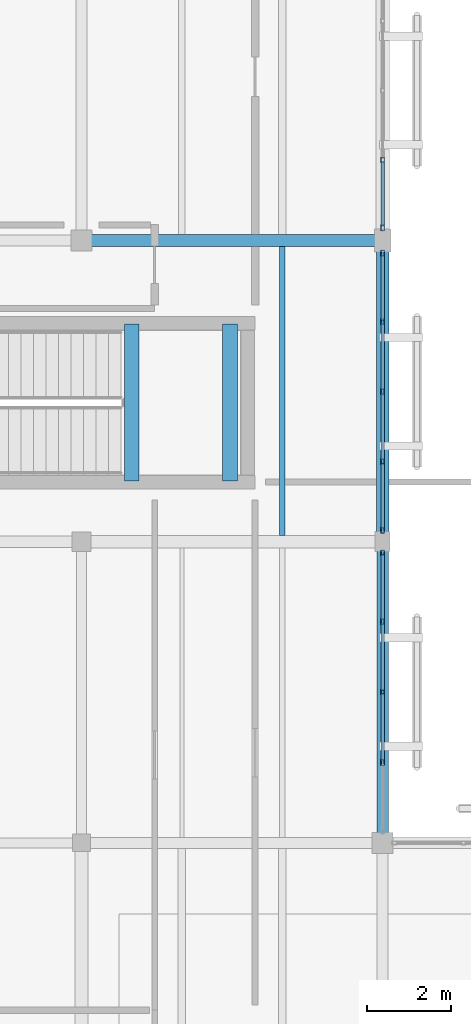
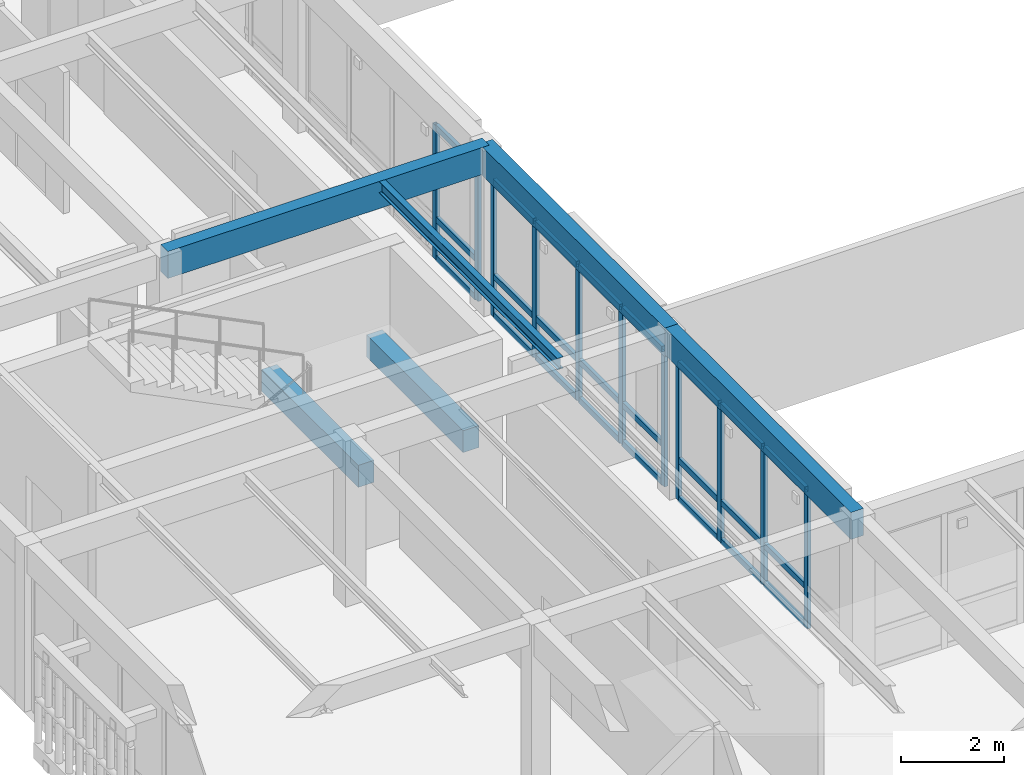
# One storey, part 147 of 217: 35 members, 6 beams, 3 elements without a shape of their own.
"""IFC4 building model written with IfcOpenShell, lengths in metres."""

from ifc_helpers import new_model, si_unit, direction, frame, origin, origin_2d, place, context, subcontext, project, spatial, rectangle, hollow_rectangle, i_section, extrude, material, layer, layer_set, material_profile, profile_set, type_object, element, aggregate, save


model = new_model("IFC4")

# Units and contexts
model_context = context("Model", 3, precision=1e-05, world=origin(), true_north=direction((0.0, 1.0)))
body_context = subcontext(model_context, "Body", "Model", "MODEL_VIEW")
ifc_project = project(units=[si_unit("LENGTHUNIT", "METRE"), si_unit("AREAUNIT", "SQUARE_METRE"), si_unit("VOLUMEUNIT", "CUBIC_METRE"), si_unit("PLANEANGLEUNIT", "RADIAN"), si_unit("MASSUNIT", "GRAM", prefix="KILO")], contexts=[model_context])

# Site, building, storey
site_placement = place(None, origin())
site = spatial("IfcSite", under=ifc_project, at=site_placement, CompositionType="ELEMENT")
building_placement = place(site_placement, origin())
building = spatial("IfcBuilding", under=site, at=building_placement, Name="Mazaris Harbour Polytechnic", CompositionType="ELEMENT")
storey_placement = place(building_placement, frame((0.0, 0.0, 9.60009765625)))
storey = spatial("IfcBuildingStorey", under=building, at=storey_placement, Name="L02", CompositionType="ELEMENT", Elevation=9.60009765625)

# Curtain wall, members
ifc_material_1 = material(Name="Anodised Bronze Aluminium and Low-E Glass", Category="aluminium")
ifc_layer = layer(ifc_material_1, 0.169921875, Name="Anodised Bronze Aluminium and Low-E Glass")
ifc_layer_set = layer_set([ifc_layer], Name="Anodised Bronze Aluminium and Low-E Glass")
curtain_wall_type = type_object("IfcCurtainWallType", Name="Studio North-Light Curtain Wall", PredefinedType="NOTDEFINED", material=ifc_layer_set)
curtain_wall_1_placement = place(storey_placement, origin())
curtain_wall_1 = element("IfcCurtainWall", 1, at=curtain_wall_1_placement, inside=storey, type_object=curtain_wall_type, Name="V5 L02 Curtain Wall 241", PredefinedType="NOTDEFINED")
ifc_material_2 = material(Name="Anodised Bronze Steel S355", Category="steel")
ifc_material_profile_1 = material_profile(ifc_material_2, hollow_rectangle(XDim=0.080078125, YDim=0.139892578125, WallThickness=0.00634765625, at=origin_2d()), Name="RHS 80x140x6.3")
ifc_profile_set_1 = profile_set([ifc_material_profile_1], Name="Anodised Bronze Steel S355")
member_type_1 = type_object("IfcMemberType", Name="Curtain Mullion RHS80x140", PredefinedType="MULLION", material=ifc_profile_set_1)
member_1_placement = place(storey_placement, frame((136.800048828125, 63.12353515625, 0.0), z_axis=(0.0, 0.0, 1.0), x_axis=(-1.0, 0.0, 0.0)))
member_1 = element("IfcMember", 2, at=member_1_placement, type_object=member_type_1, Name="CW-03 mullion 2", PredefinedType="MULLION", context=body_context, shape_type="SweptSolid", body=[
    extrude(hollow_rectangle(XDim=0.080078125, YDim=0.139892578125, WallThickness=0.00634765625, at=origin_2d()), origin(), (0.0, 0.0, 1.0), 3.27001953125),
])
member_2_placement = place(storey_placement, frame((136.800048828125, 64.804931640625, 0.0), z_axis=(0.0, 0.0, 1.0), x_axis=(-1.0, 0.0, 0.0)))
member_2 = element("IfcMember", 3, at=member_2_placement, type_object=member_type_1, Name="CW-03 mullion 3", PredefinedType="MULLION", context=body_context, shape_type="SweptSolid", body=[
    extrude(hollow_rectangle(XDim=0.080078125, YDim=0.139892578125, WallThickness=0.00634765625, at=origin_2d()), origin(), (0.0, 0.0, 1.0), 3.27001953125),
])
member_3_placement = place(storey_placement, frame((136.800048828125, 66.486572265625, 0.0), z_axis=(0.0, 0.0, 1.0), x_axis=(-1.0, 0.0, 0.0)))
member_3 = element("IfcMember", 4, at=member_3_placement, type_object=member_type_1, Name="CW-03 mullion 4", PredefinedType="MULLION", context=body_context, shape_type="SweptSolid", body=[
    extrude(hollow_rectangle(XDim=0.080078125, YDim=0.139892578125, WallThickness=0.00634765625, at=origin_2d()), origin(), (0.0, 0.0, 1.0), 3.27001953125),
])
member_4_placement = place(storey_placement, frame((136.800048828125, 68.1279296875, 0.0), z_axis=(0.0, 0.0, 1.0), x_axis=(-1.0, 0.0, 0.0)))
member_4 = element("IfcMember", 5, at=member_4_placement, type_object=member_type_1, Name="CW-03 mullion 5", PredefinedType="MULLION", context=body_context, shape_type="SweptSolid", body=[
    extrude(hollow_rectangle(XDim=0.080078125, YDim=0.139892578125, WallThickness=0.00634765625, at=origin_2d()), origin(), (0.0, 0.0, 1.0), 3.27001953125),
])

curtain_wall_2_placement = place(storey_placement, origin())
curtain_wall_2 = element("IfcCurtainWall", 6, at=curtain_wall_2_placement, inside=storey, type_object=curtain_wall_type, Name="V5 L02 Curtain Wall 242", PredefinedType="NOTDEFINED")
member_5_placement = place(storey_placement, frame((136.800048828125, 68.672119140625, 0.0), z_axis=(0.0, 0.0, 1.0), x_axis=(-1.0, 0.0, 0.0)))
member_5 = element("IfcMember", 7, at=member_5_placement, type_object=member_type_1, Name="CW-03 mullion 1", PredefinedType="MULLION", context=body_context, shape_type="SweptSolid", body=[
    extrude(hollow_rectangle(XDim=0.080078125, YDim=0.139892578125, WallThickness=0.00634765625, at=origin_2d()), origin(), (0.0, 0.0, 1.0), 3.22998046875),
])
member_6_placement = place(storey_placement, frame((136.800048828125, 70.30859375, 0.0), z_axis=(0.0, 0.0, 1.0), x_axis=(-1.0, 0.0, 0.0)))
member_6 = element("IfcMember", 8, at=member_6_placement, type_object=member_type_1, Name="CW-03 mullion 2", PredefinedType="MULLION", context=body_context, shape_type="SweptSolid", body=[
    extrude(hollow_rectangle(XDim=0.080078125, YDim=0.139892578125, WallThickness=0.00634765625, at=origin_2d()), origin(), (0.0, 0.0, 1.0), 3.22998046875),
])
member_7_placement = place(storey_placement, frame((136.800048828125, 71.985107421875, 0.0), z_axis=(0.0, 0.0, 1.0), x_axis=(-1.0, 0.0, 0.0)))
member_7 = element("IfcMember", 9, at=member_7_placement, type_object=member_type_1, Name="CW-03 mullion 3", PredefinedType="MULLION", context=body_context, shape_type="SweptSolid", body=[
    extrude(hollow_rectangle(XDim=0.080078125, YDim=0.139892578125, WallThickness=0.00634765625, at=origin_2d()), origin(), (0.0, 0.0, 1.0), 3.22998046875),
])
member_8_placement = place(storey_placement, frame((136.800048828125, 73.66162109375, 0.0), z_axis=(0.0, 0.0, 1.0), x_axis=(-1.0, 0.0, 0.0)))
member_8 = element("IfcMember", 10, at=member_8_placement, type_object=member_type_1, Name="CW-03 mullion 4", PredefinedType="MULLION", context=body_context, shape_type="SweptSolid", body=[
    extrude(hollow_rectangle(XDim=0.080078125, YDim=0.139892578125, WallThickness=0.00634765625, at=origin_2d()), origin(), (0.0, 0.0, 1.0), 3.22998046875),
])
member_9_placement = place(storey_placement, frame((136.800048828125, 75.298095703125, 0.0), z_axis=(0.0, 0.0, 1.0), x_axis=(-1.0, 0.0, 0.0)))
member_9 = element("IfcMember", 11, at=member_9_placement, type_object=member_type_1, Name="CW-03 mullion 5", PredefinedType="MULLION", context=body_context, shape_type="SweptSolid", body=[
    extrude(hollow_rectangle(XDim=0.080078125, YDim=0.139892578125, WallThickness=0.00634765625, at=origin_2d()), origin(), (0.0, 0.0, 1.0), 3.22998046875),
])

curtain_wall_3_placement = place(storey_placement, origin())
curtain_wall_3 = element("IfcCurtainWall", 12, at=curtain_wall_3_placement, inside=storey, type_object=curtain_wall_type, Name="V5 L02 Curtain Wall 243", PredefinedType="NOTDEFINED")
member_10_placement = place(storey_placement, frame((136.800048828125, 75.902099609375, 0.0), z_axis=(0.0, 0.0, 1.0), x_axis=(-1.0, 0.0, 0.0)))
member_10 = element("IfcMember", 13, at=member_10_placement, type_object=member_type_1, Name="CW-03 mullion 1", PredefinedType="MULLION", context=body_context, shape_type="SweptSolid", body=[
    extrude(hollow_rectangle(XDim=0.080078125, YDim=0.139892578125, WallThickness=0.00634765625, at=origin_2d()), origin(), (0.0, 0.0, 1.0), 3.169921875),
])
member_11_placement = place(storey_placement, frame((136.800048828125, 77.5234375, 0.0), z_axis=(0.0, 0.0, 1.0), x_axis=(-1.0, 0.0, 0.0)))
member_11 = element("IfcMember", 14, at=member_11_placement, type_object=member_type_1, Name="CW-03 mullion 2", PredefinedType="MULLION", context=body_context, shape_type="SweptSolid", body=[
    extrude(hollow_rectangle(XDim=0.080078125, YDim=0.139892578125, WallThickness=0.00634765625, at=origin_2d()), origin(), (0.0, 0.0, 1.0), 3.169921875),
])

# Member
ifc_material_3 = material(Name="Anodised Bronze Steel S355", Category="steel")
ifc_material_profile_2 = material_profile(ifc_material_3, hollow_rectangle(XDim=0.080078125, YDim=0.139892578125, WallThickness=0.00634765625, at=origin_2d()), Name="RHS 80x140x6.3")
ifc_profile_set_2 = profile_set([ifc_material_profile_2], Name="Anodised Bronze Steel S355")
member_type_2 = type_object("IfcMemberType", Name="Curtain Transom RHS80x140", PredefinedType="USERDEFINED", material=ifc_profile_set_2)
member_12_placement = place(storey_placement, frame((136.800048828125, 63.16357421875, 0.039794921875), z_axis=(0.0, 1.0, 0.0), x_axis=(-1.0, 0.0, 0.0)))
member_12 = element("IfcMember", 15, at=member_12_placement, type_object=member_type_2, Name="CW-03 transom 2.1", ObjectType="TRANSOM", PredefinedType="USERDEFINED", context=body_context, shape_type="SweptSolid", body=[
    extrude(hollow_rectangle(XDim=0.080078125, YDim=0.139892578125, WallThickness=0.00634765625, at=origin_2d()), origin(), (0.0, 0.0, 1.0), 1.601318359375),
])

member_13_placement = place(storey_placement, frame((136.800048828125, 63.16357421875, 0.949951171875), z_axis=(0.0, 1.0, 0.0), x_axis=(-1.0, 0.0, 0.0)))
member_13 = element("IfcMember", 16, at=member_13_placement, type_object=member_type_2, Name="CW-03 transom 2.2", ObjectType="TRANSOM", PredefinedType="USERDEFINED", context=body_context, shape_type="SweptSolid", body=[
    extrude(hollow_rectangle(XDim=0.080078125, YDim=0.139892578125, WallThickness=0.00634765625, at=origin_2d()), origin(), (0.0, 0.0, 1.0), 1.601318359375),
])

member_14_placement = place(storey_placement, frame((136.800048828125, 63.16357421875, 3.22998046875), z_axis=(0.0, 1.0, 0.0), x_axis=(-1.0, 0.0, 0.0)))
member_14 = element("IfcMember", 17, at=member_14_placement, type_object=member_type_2, Name="CW-03 transom 2.3", ObjectType="TRANSOM", PredefinedType="USERDEFINED", context=body_context, shape_type="SweptSolid", body=[
    extrude(hollow_rectangle(XDim=0.080078125, YDim=0.139892578125, WallThickness=0.00634765625, at=origin_2d()), origin(), (0.0, 0.0, 1.0), 1.601318359375),
])

member_15_placement = place(storey_placement, frame((136.800048828125, 64.844970703125, 0.039794921875), z_axis=(0.0, 1.0, 0.0), x_axis=(-1.0, 0.0, 0.0)))
member_15 = element("IfcMember", 18, at=member_15_placement, type_object=member_type_2, Name="CW-03 transom 3.1", ObjectType="TRANSOM", PredefinedType="USERDEFINED", context=body_context, shape_type="SweptSolid", body=[
    extrude(hollow_rectangle(XDim=0.080078125, YDim=0.139892578125, WallThickness=0.00634765625, at=origin_2d()), origin(), (0.0, 0.0, 1.0), 1.6015625),
])

member_16_placement = place(storey_placement, frame((136.800048828125, 64.844970703125, 0.949951171875), z_axis=(0.0, 1.0, 0.0), x_axis=(-1.0, 0.0, 0.0)))
member_16 = element("IfcMember", 19, at=member_16_placement, type_object=member_type_2, Name="CW-03 transom 3.2", ObjectType="TRANSOM", PredefinedType="USERDEFINED", context=body_context, shape_type="SweptSolid", body=[
    extrude(hollow_rectangle(XDim=0.080078125, YDim=0.139892578125, WallThickness=0.00634765625, at=origin_2d()), origin(), (0.0, 0.0, 1.0), 1.6015625),
])

member_17_placement = place(storey_placement, frame((136.800048828125, 64.844970703125, 3.22998046875), z_axis=(0.0, 1.0, 0.0), x_axis=(-1.0, 0.0, 0.0)))
member_17 = element("IfcMember", 20, at=member_17_placement, type_object=member_type_2, Name="CW-03 transom 3.3", ObjectType="TRANSOM", PredefinedType="USERDEFINED", context=body_context, shape_type="SweptSolid", body=[
    extrude(hollow_rectangle(XDim=0.080078125, YDim=0.139892578125, WallThickness=0.00634765625, at=origin_2d()), origin(), (0.0, 0.0, 1.0), 1.6015625),
])

member_18_placement = place(storey_placement, frame((136.800048828125, 66.526611328125, 0.039794921875), z_axis=(0.0, 1.0, 0.0), x_axis=(-1.0, 0.0, 0.0)))
member_18 = element("IfcMember", 21, at=member_18_placement, type_object=member_type_2, Name="CW-03 transom 4.1", ObjectType="TRANSOM", PredefinedType="USERDEFINED", context=body_context, shape_type="SweptSolid", body=[
    extrude(hollow_rectangle(XDim=0.080078125, YDim=0.139892578125, WallThickness=0.00634765625, at=origin_2d()), origin(), (0.0, 0.0, 1.0), 1.561279296875),
])

member_19_placement = place(storey_placement, frame((136.800048828125, 66.526611328125, 0.949951171875), z_axis=(0.0, 1.0, 0.0), x_axis=(-1.0, 0.0, 0.0)))
member_19 = element("IfcMember", 22, at=member_19_placement, type_object=member_type_2, Name="CW-03 transom 4.2", ObjectType="TRANSOM", PredefinedType="USERDEFINED", context=body_context, shape_type="SweptSolid", body=[
    extrude(hollow_rectangle(XDim=0.080078125, YDim=0.139892578125, WallThickness=0.00634765625, at=origin_2d()), origin(), (0.0, 0.0, 1.0), 1.561279296875),
])

member_20_placement = place(storey_placement, frame((136.800048828125, 66.526611328125, 3.22998046875), z_axis=(0.0, 1.0, 0.0), x_axis=(-1.0, 0.0, 0.0)))
member_20 = element("IfcMember", 23, at=member_20_placement, type_object=member_type_2, Name="CW-03 transom 4.3", ObjectType="TRANSOM", PredefinedType="USERDEFINED", context=body_context, shape_type="SweptSolid", body=[
    extrude(hollow_rectangle(XDim=0.080078125, YDim=0.139892578125, WallThickness=0.00634765625, at=origin_2d()), origin(), (0.0, 0.0, 1.0), 1.561279296875),
])

aggregate(curtain_wall_1, [member_1, member_2, member_3, member_4, member_12, member_13, member_14, member_15, member_16, member_17, member_18, member_19, member_20])

member_21_placement = place(storey_placement, frame((136.800048828125, 68.7119140625, 0.039794921875), z_axis=(0.0, 1.0, 0.0), x_axis=(-1.0, 0.0, 0.0)))
member_21 = element("IfcMember", 24, at=member_21_placement, type_object=member_type_2, Name="CW-03 transom 1.1", ObjectType="TRANSOM", PredefinedType="USERDEFINED", context=body_context, shape_type="SweptSolid", body=[
    extrude(hollow_rectangle(XDim=0.080078125, YDim=0.139892578125, WallThickness=0.00634765625, at=origin_2d()), origin(), (0.0, 0.0, 1.0), 1.556640625),
])

member_22_placement = place(storey_placement, frame((136.800048828125, 68.7119140625, 0.949951171875), z_axis=(0.0, 1.0, 0.0), x_axis=(-1.0, 0.0, 0.0)))
member_22 = element("IfcMember", 25, at=member_22_placement, type_object=member_type_2, Name="CW-03 transom 1.2", ObjectType="TRANSOM", PredefinedType="USERDEFINED", context=body_context, shape_type="SweptSolid", body=[
    extrude(hollow_rectangle(XDim=0.080078125, YDim=0.139892578125, WallThickness=0.00634765625, at=origin_2d()), origin(), (0.0, 0.0, 1.0), 1.556640625),
])

member_23_placement = place(storey_placement, frame((136.800048828125, 68.7119140625, 3.18994140625), z_axis=(0.0, 1.0, 0.0), x_axis=(-1.0, 0.0, 0.0)))
member_23 = element("IfcMember", 26, at=member_23_placement, type_object=member_type_2, Name="CW-03 transom 1.3", ObjectType="TRANSOM", PredefinedType="USERDEFINED", context=body_context, shape_type="SweptSolid", body=[
    extrude(hollow_rectangle(XDim=0.080078125, YDim=0.139892578125, WallThickness=0.00634765625, at=origin_2d()), origin(), (0.0, 0.0, 1.0), 1.556640625),
])

member_24_placement = place(storey_placement, frame((136.800048828125, 70.348388671875, 0.039794921875), z_axis=(0.0, 1.0, 0.0), x_axis=(-1.0, 0.0, 0.0)))
member_24 = element("IfcMember", 27, at=member_24_placement, type_object=member_type_2, Name="CW-03 transom 2.1", ObjectType="TRANSOM", PredefinedType="USERDEFINED", context=body_context, shape_type="SweptSolid", body=[
    extrude(hollow_rectangle(XDim=0.080078125, YDim=0.139892578125, WallThickness=0.00634765625, at=origin_2d()), origin(), (0.0, 0.0, 1.0), 1.5966796875),
])

member_25_placement = place(storey_placement, frame((136.800048828125, 70.348388671875, 0.949951171875), z_axis=(0.0, 1.0, 0.0), x_axis=(-1.0, 0.0, 0.0)))
member_25 = element("IfcMember", 28, at=member_25_placement, type_object=member_type_2, Name="CW-03 transom 2.2", ObjectType="TRANSOM", PredefinedType="USERDEFINED", context=body_context, shape_type="SweptSolid", body=[
    extrude(hollow_rectangle(XDim=0.080078125, YDim=0.139892578125, WallThickness=0.00634765625, at=origin_2d()), origin(), (0.0, 0.0, 1.0), 1.5966796875),
])

member_26_placement = place(storey_placement, frame((136.800048828125, 70.348388671875, 3.18994140625), z_axis=(0.0, 1.0, 0.0), x_axis=(-1.0, 0.0, 0.0)))
member_26 = element("IfcMember", 29, at=member_26_placement, type_object=member_type_2, Name="CW-03 transom 2.3", ObjectType="TRANSOM", PredefinedType="USERDEFINED", context=body_context, shape_type="SweptSolid", body=[
    extrude(hollow_rectangle(XDim=0.080078125, YDim=0.139892578125, WallThickness=0.00634765625, at=origin_2d()), origin(), (0.0, 0.0, 1.0), 1.5966796875),
])

member_27_placement = place(storey_placement, frame((136.800048828125, 72.02490234375, 0.039794921875), z_axis=(0.0, 1.0, 0.0), x_axis=(-1.0, 0.0, 0.0)))
member_27 = element("IfcMember", 30, at=member_27_placement, type_object=member_type_2, Name="CW-03 transom 3.1", ObjectType="TRANSOM", PredefinedType="USERDEFINED", context=body_context, shape_type="SweptSolid", body=[
    extrude(hollow_rectangle(XDim=0.080078125, YDim=0.139892578125, WallThickness=0.00634765625, at=origin_2d()), origin(), (0.0, 0.0, 1.0), 1.5966796875),
])

member_28_placement = place(storey_placement, frame((136.800048828125, 72.02490234375, 0.949951171875), z_axis=(0.0, 1.0, 0.0), x_axis=(-1.0, 0.0, 0.0)))
member_28 = element("IfcMember", 31, at=member_28_placement, type_object=member_type_2, Name="CW-03 transom 3.2", ObjectType="TRANSOM", PredefinedType="USERDEFINED", context=body_context, shape_type="SweptSolid", body=[
    extrude(hollow_rectangle(XDim=0.080078125, YDim=0.139892578125, WallThickness=0.00634765625, at=origin_2d()), origin(), (0.0, 0.0, 1.0), 1.5966796875),
])

member_29_placement = place(storey_placement, frame((136.800048828125, 72.02490234375, 3.18994140625), z_axis=(0.0, 1.0, 0.0), x_axis=(-1.0, 0.0, 0.0)))
member_29 = element("IfcMember", 32, at=member_29_placement, type_object=member_type_2, Name="CW-03 transom 3.3", ObjectType="TRANSOM", PredefinedType="USERDEFINED", context=body_context, shape_type="SweptSolid", body=[
    extrude(hollow_rectangle(XDim=0.080078125, YDim=0.139892578125, WallThickness=0.00634765625, at=origin_2d()), origin(), (0.0, 0.0, 1.0), 1.5966796875),
])

member_30_placement = place(storey_placement, frame((136.800048828125, 73.701416015625, 0.039794921875), z_axis=(0.0, 1.0, 0.0), x_axis=(-1.0, 0.0, 0.0)))
member_30 = element("IfcMember", 33, at=member_30_placement, type_object=member_type_2, Name="CW-03 transom 4.1", ObjectType="TRANSOM", PredefinedType="USERDEFINED", context=body_context, shape_type="SweptSolid", body=[
    extrude(hollow_rectangle(XDim=0.080078125, YDim=0.139892578125, WallThickness=0.00634765625, at=origin_2d()), origin(), (0.0, 0.0, 1.0), 1.556640625),
])

member_31_placement = place(storey_placement, frame((136.800048828125, 73.701416015625, 0.949951171875), z_axis=(0.0, 1.0, 0.0), x_axis=(-1.0, 0.0, 0.0)))
member_31 = element("IfcMember", 34, at=member_31_placement, type_object=member_type_2, Name="CW-03 transom 4.2", ObjectType="TRANSOM", PredefinedType="USERDEFINED", context=body_context, shape_type="SweptSolid", body=[
    extrude(hollow_rectangle(XDim=0.080078125, YDim=0.139892578125, WallThickness=0.00634765625, at=origin_2d()), origin(), (0.0, 0.0, 1.0), 1.556640625),
])

member_32_placement = place(storey_placement, frame((136.800048828125, 73.701416015625, 3.18994140625), z_axis=(0.0, 1.0, 0.0), x_axis=(-1.0, 0.0, 0.0)))
member_32 = element("IfcMember", 35, at=member_32_placement, type_object=member_type_2, Name="CW-03 transom 4.3", ObjectType="TRANSOM", PredefinedType="USERDEFINED", context=body_context, shape_type="SweptSolid", body=[
    extrude(hollow_rectangle(XDim=0.080078125, YDim=0.139892578125, WallThickness=0.00634765625, at=origin_2d()), origin(), (0.0, 0.0, 1.0), 1.556640625),
])

aggregate(curtain_wall_2, [member_5, member_6, member_7, member_8, member_9, member_21, member_22, member_23, member_24, member_25, member_26, member_27, member_28, member_29, member_30, member_31, member_32])

member_33_placement = place(storey_placement, frame((136.800048828125, 75.94189453125, 0.039794921875), z_axis=(0.0, 1.0, 0.0), x_axis=(-1.0, 0.0, 0.0)))
member_33 = element("IfcMember", 36, at=member_33_placement, type_object=member_type_2, Name="CW-03 transom 1.1", ObjectType="TRANSOM", PredefinedType="USERDEFINED", context=body_context, shape_type="SweptSolid", body=[
    extrude(hollow_rectangle(XDim=0.080078125, YDim=0.139892578125, WallThickness=0.00634765625, at=origin_2d()), origin(), (0.0, 0.0, 1.0), 1.54150390625),
])

member_34_placement = place(storey_placement, frame((136.800048828125, 75.94189453125, 0.949951171875), z_axis=(0.0, 1.0, 0.0), x_axis=(-1.0, 0.0, 0.0)))
member_34 = element("IfcMember", 37, at=member_34_placement, type_object=member_type_2, Name="CW-03 transom 1.2", ObjectType="TRANSOM", PredefinedType="USERDEFINED", context=body_context, shape_type="SweptSolid", body=[
    extrude(hollow_rectangle(XDim=0.080078125, YDim=0.139892578125, WallThickness=0.00634765625, at=origin_2d()), origin(), (0.0, 0.0, 1.0), 1.54150390625),
])

member_35_placement = place(storey_placement, frame((136.800048828125, 75.94189453125, 3.1298828125), z_axis=(0.0, 1.0, 0.0), x_axis=(-1.0, 0.0, 0.0)))
member_35 = element("IfcMember", 38, at=member_35_placement, type_object=member_type_2, Name="CW-03 transom 1.3", ObjectType="TRANSOM", PredefinedType="USERDEFINED", context=body_context, shape_type="SweptSolid", body=[
    extrude(hollow_rectangle(XDim=0.080078125, YDim=0.139892578125, WallThickness=0.00634765625, at=origin_2d()), origin(), (0.0, 0.0, 1.0), 1.54150390625),
])

aggregate(curtain_wall_3, [member_10, member_11, member_33, member_34, member_35])

# Beams
ifc_material_4 = material(Name="Glulam GL32h", Category="wood")
ifc_material_profile_3 = material_profile(ifc_material_4, rectangle(XDim=0.280029296875, YDim=0.639892578125, at=origin_2d()), Name="RECT280x640")
ifc_profile_set_3 = profile_set([ifc_material_profile_3], Name="Glulam GL32h")
beam_type_1 = type_object("IfcBeamType", Name="Glulam Girder 280x640", PredefinedType="BEAM", material=ifc_profile_set_3)
for number, where, z_axis, x_axis, name in (
    (39, (129.60009765625, 75.60009765625, 3.599853515625), (1.0, 0.0, 0.0), (0.0, 1.0, 0.0), "V5 L02 Girder 3142"),
    (40, (136.800048828125, 61.199951171875, 3.599853515625), (0.0, 1.0, 0.0), (-1.0, 0.0, 0.0), "V5 L02 Tie Girder 3187"),
):
    element("IfcBeam", number, at=place(storey_placement, frame(where, z_axis=z_axis, x_axis=x_axis)), inside=storey, type_object=beam_type_1, Name=name, PredefinedType="BEAM", context=body_context, shape_type="SweptSolid", body=[
        extrude(rectangle(XDim=0.280029296875, YDim=0.639892578125, at=origin_2d()), origin(), (0.0, 0.0, 1.0), 7.199951171875),
    ])
ifc_material_5 = material(Name="Glulam GL32h", Category="wood")
ifc_material_profile_4 = material_profile(ifc_material_5, rectangle(XDim=0.300048828125, YDim=0.679931640625, at=origin_2d()), Name="RECT300x680")
ifc_profile_set_4 = profile_set([ifc_material_profile_4], Name="Glulam GL32h")
beam_type_2 = type_object("IfcBeamType", Name="Glulam Girder 300x680", PredefinedType="BEAM", material=ifc_profile_set_4)
beam_1_placement = place(storey_placement, frame((136.800048828125, 68.39990234375, 3.579833984375), z_axis=(0.0, 1.0, 0.0), x_axis=(-1.0, 0.0, 0.0)))
element("IfcBeam", 41, at=beam_1_placement, inside=storey, type_object=beam_type_2, Name="V5 L02 Tie Girder 3188", PredefinedType="BEAM", context=body_context, shape_type="SweptSolid", body=[
    extrude(rectangle(XDim=0.300048828125, YDim=0.679931640625, at=origin_2d()), origin(), (0.0, 0.0, 1.0), 7.2001953125),
])
ifc_material_6 = material(Name="Concrete C40/50", Category="concrete")
ifc_material_profile_5 = material_profile(ifc_material_6, rectangle(XDim=0.35009765625, YDim=0.52001953125, at=origin_2d()), Name="RECT350x520")
ifc_profile_set_5 = profile_set([ifc_material_profile_5], Name="Concrete C40/50")
beam_type_3 = type_object("IfcBeamType", Name="RC Landing Bearer 350x520", PredefinedType="BEAM", material=ifc_profile_set_5)
for number, where, z_axis, x_axis, name in (
    (42, (130.800048828125, 69.85009765625, 1.639892578125), (0.0, 1.0, 0.0), (-1.0, 0.0, 0.0), "Core ST09 L02 Landing Bearer"),
    (43, (133.14990234375, 69.85009765625, 1.639892578125), (0.0, 1.0, 0.0), (-1.0, 0.0, 0.0), "Core ST09 L02 Landing Bearer"),
):
    element("IfcBeam", number, at=place(storey_placement, frame(where, z_axis=z_axis, x_axis=x_axis)), inside=storey, type_object=beam_type_3, Name=name, PredefinedType="BEAM", context=body_context, shape_type="SweptSolid", body=[
        extrude(rectangle(XDim=0.35009765625, YDim=0.52001953125, at=origin_2d()), origin(), (0.0, 0.0, 1.0), 3.75),
    ])
ifc_material_7 = material(Name="Steel S355", Category="steel")
ifc_material_profile_6 = material_profile(ifc_material_7, i_section(OverallWidth=0.135009765625, OverallDepth=0.27001953125, WebThickness=0.006591796875, FlangeThickness=0.01025390625, FilletRadius=0.014892578125, at=origin_2d()), Name="IPE 270")
ifc_profile_set_6 = profile_set([ifc_material_profile_6], Name="Steel S355")
beam_type_4 = type_object("IfcBeamType", Name="Steel Joist IPE270", PredefinedType="JOIST", material=ifc_profile_set_6)
beam_2_placement = place(storey_placement, frame((134.39990234375, 68.550048828125, 3.784912109375), z_axis=(0.0, 1.0, 0.0), x_axis=(-1.0, 0.0, 0.0)))
element("IfcBeam", 44, at=beam_2_placement, inside=storey, type_object=beam_type_4, Name="V5 L02 Floor Joist 3243", PredefinedType="JOIST", context=body_context, shape_type="SweptSolid", body=[
    extrude(i_section(OverallWidth=0.135009765625, OverallDepth=0.27001953125, WebThickness=0.006591796875, FlangeThickness=0.01025390625, FilletRadius=0.014892578125, at=origin_2d()), origin(), (0.0, 0.0, 1.0), 6.909912109375),
])

save(model, "model.ifc")
